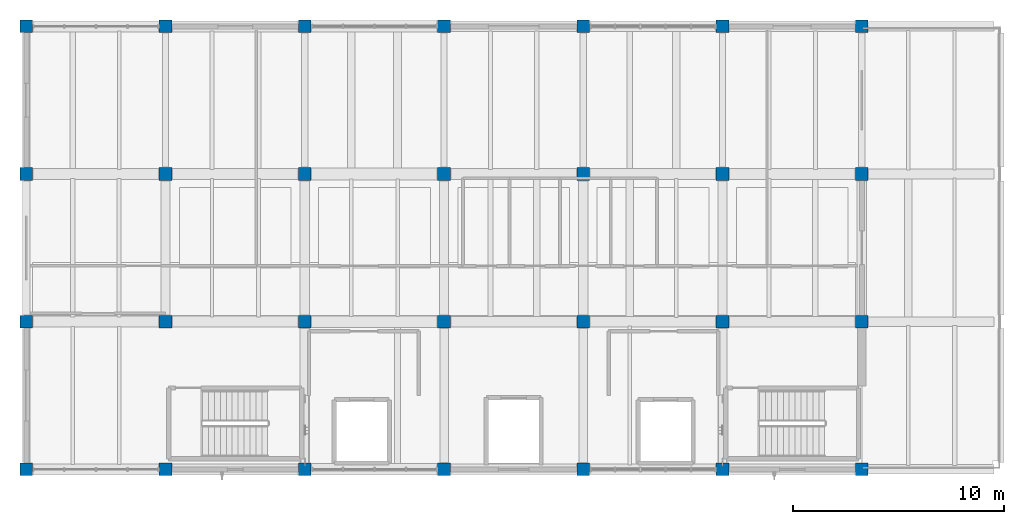
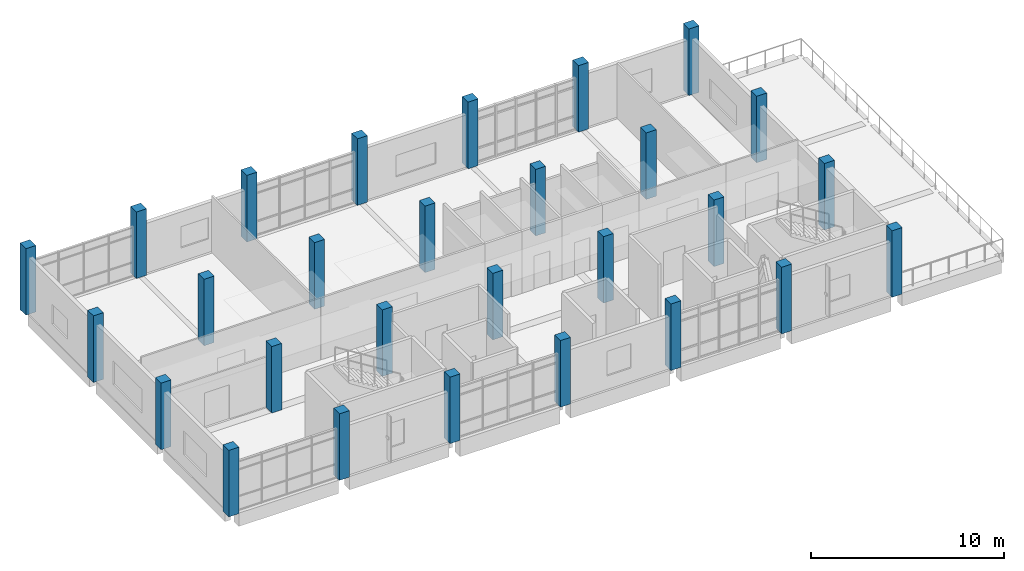
# One storey, part 1 of 14: 28 columns.
"""IFC4 building model written with IfcOpenShell, lengths in metres."""

from ifc_helpers import new_model, si_unit, direction, frame, origin, origin_2d, place, context, subcontext, project, spatial, rectangle, extrude, material, material_profile, profile_set, type_object, element, save


model = new_model("IFC4")

# Units and contexts
model_context = context("Model", 3, precision=1e-05, world=origin(), true_north=direction((0.0, 1.0)))
body_context = subcontext(model_context, "Body", "Model", "MODEL_VIEW")
ifc_project = project(units=[si_unit("LENGTHUNIT", "METRE"), si_unit("AREAUNIT", "SQUARE_METRE"), si_unit("VOLUMEUNIT", "CUBIC_METRE"), si_unit("PLANEANGLEUNIT", "RADIAN"), si_unit("MASSUNIT", "GRAM", prefix="KILO")], contexts=[model_context])

# Site, building, storey
site_placement = place(None, origin())
site = spatial("IfcSite", under=ifc_project, at=site_placement, CompositionType="ELEMENT")
building_placement = place(site_placement, origin())
building = spatial("IfcBuilding", under=site, at=building_placement, Name="Ciguamira Faculty of Natural Sciences", CompositionType="ELEMENT")
storey_placement = place(building_placement, frame((0.0, 0.0, 29.39990234375)))
storey = spatial("IfcBuildingStorey", under=building, at=storey_placement, Name="L07", CompositionType="ELEMENT", Elevation=29.39990234375)

# Columns
ifc_material = material(Name="Concrete C40/50", Category="concrete")
ifc_material_profile = material_profile(ifc_material, rectangle(XDim=0.60009765625, YDim=0.60009765625, at=origin_2d()), Name="RC-COL-600X600")
ifc_profile_set = profile_set([ifc_material_profile], Name="Concrete C40/50")
column_type = type_object("IfcColumnType", Name="Col_C-07_RC-COL-600X600", PredefinedType="COLUMN", material=ifc_profile_set)
for number, where, z_axis, x_axis, name in (
    (1, (63.89990234375, 94.0, 0.0), (0.0, 0.0, 1.0), (1.0, 0.0, 0.0), "L07 column 10/P"),
    (2, (63.89990234375, 101.0, 0.0), (0.0, 0.0, 1.0), (1.0, 0.0, 0.0), "L07 column 10/Q"),
    (3, (63.89990234375, 108.0, 0.0), (0.0, 0.0, 1.0), (1.0, 0.0, 0.0), "L07 column 10/R"),
    (4, (63.89990234375, 115.0, 0.0), (0.0, 0.0, 1.0), (1.0, 0.0, 0.0), "L07 column 10/S"),
    (5, (70.5, 94.0, 0.0), (0.0, 0.0, 1.0), (1.0, 0.0, 0.0), "L07 column 11/P"),
    (6, (70.5, 101.0, 0.0), (0.0, 0.0, 1.0), (1.0, 0.0, 0.0), "L07 column 11/Q"),
    (7, (70.5, 108.0, 0.0), (0.0, 0.0, 1.0), (1.0, 0.0, 0.0), "L07 column 11/R"),
    (8, (70.5, 115.0, 0.0), (0.0, 0.0, 1.0), (1.0, 0.0, 0.0), "L07 column 11/S"),
    (9, (77.10009765625, 94.0, 0.0), (0.0, 0.0, 1.0), (1.0, 0.0, 0.0), "L07 column 12/P"),
    (10, (77.10009765625, 101.0, 0.0), (0.0, 0.0, 1.0), (1.0, 0.0, 0.0), "L07 column 12/Q"),
    (11, (77.10009765625, 108.0, 0.0), (0.0, 0.0, 1.0), (1.0, 0.0, 0.0), "L07 column 12/R"),
    (12, (77.10009765625, 115.0, 0.0), (0.0, 0.0, 1.0), (1.0, 0.0, 0.0), "L07 column 12/S"),
    (13, (83.699951171875, 94.0, 0.0), (0.0, 0.0, 1.0), (1.0, 0.0, 0.0), "L07 column 13/P"),
    (14, (83.699951171875, 101.0, 0.0), (0.0, 0.0, 1.0), (1.0, 0.0, 0.0), "L07 column 13/Q"),
    (15, (83.699951171875, 108.0, 0.0), (0.0, 0.0, 1.0), (1.0, 0.0, 0.0), "L07 column 13/R"),
    (16, (83.699951171875, 115.0, 0.0), (0.0, 0.0, 1.0), (1.0, 0.0, 0.0), "L07 column 13/S"),
    (17, (90.300048828125, 94.0, 0.0), (0.0, 0.0, 1.0), (1.0, 0.0, 0.0), "L07 column 14/P"),
    (18, (90.300048828125, 101.0, 0.0), (0.0, 0.0, 1.0), (1.0, 0.0, 0.0), "L07 column 14/Q"),
    (19, (90.300048828125, 108.0, 0.0), (0.0, 0.0, 1.0), (1.0, 0.0, 0.0), "L07 column 14/R"),
    (20, (90.300048828125, 115.0, 0.0), (0.0, 0.0, 1.0), (1.0, 0.0, 0.0), "L07 column 14/S"),
    (21, (96.89990234375, 94.0, 0.0), (0.0, 0.0, 1.0), (1.0, 0.0, 0.0), "L07 column 15/P"),
    (22, (96.89990234375, 101.0, 0.0), (0.0, 0.0, 1.0), (1.0, 0.0, 0.0), "L07 column 15/Q"),
    (23, (96.89990234375, 108.0, 0.0), (0.0, 0.0, 1.0), (1.0, 0.0, 0.0), "L07 column 15/R"),
    (24, (96.89990234375, 115.0, 0.0), (0.0, 0.0, 1.0), (1.0, 0.0, 0.0), "L07 column 15/S"),
    (25, (103.5, 94.0, 0.0), (0.0, 0.0, 1.0), (1.0, 0.0, 0.0), "L07 column 16/P"),
    (26, (103.5, 101.0, 0.0), (0.0, 0.0, 1.0), (1.0, 0.0, 0.0), "L07 column 16/Q"),
    (27, (103.5, 108.0, 0.0), (0.0, 0.0, 1.0), (1.0, 0.0, 0.0), "L07 column 16/R"),
    (28, (103.5, 115.0, 0.0), (0.0, 0.0, 1.0), (1.0, 0.0, 0.0), "L07 column 16/S"),
):
    element("IfcColumn", number, at=place(storey_placement, frame(where, z_axis=z_axis, x_axis=x_axis)), inside=storey, type_object=column_type, Name=name, PredefinedType="COLUMN", context=body_context, shape_type="SweptSolid", body=[
        extrude(rectangle(XDim=0.60009765625, YDim=0.60009765625, at=origin_2d()), origin(), (0.0, 0.0, 1.0), 4.2001953125),
    ])

save(model, "model.ifc")
